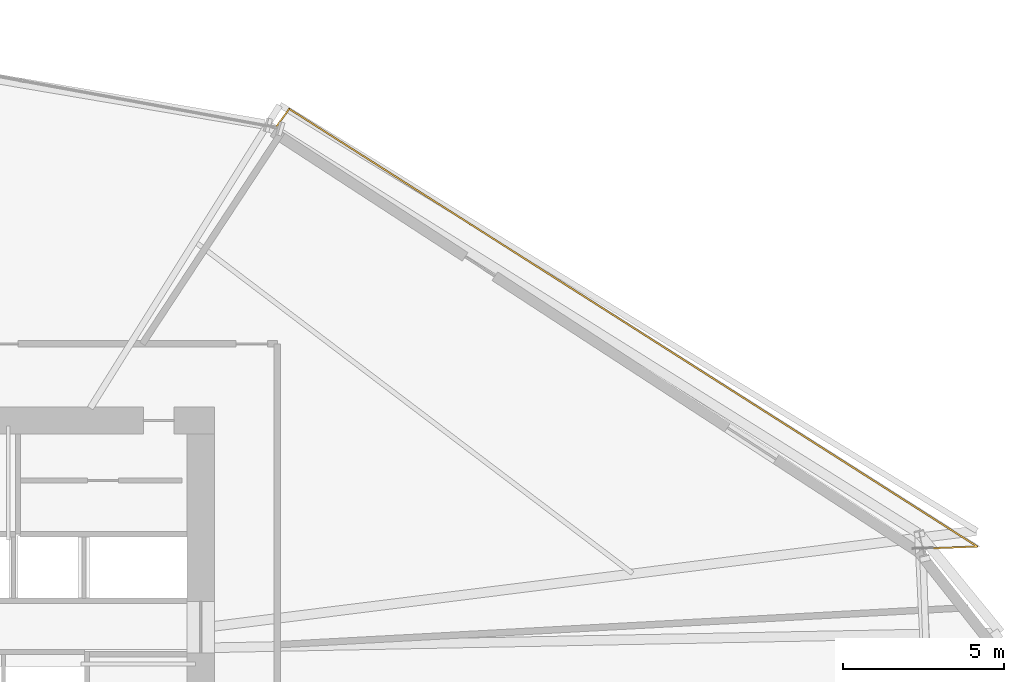
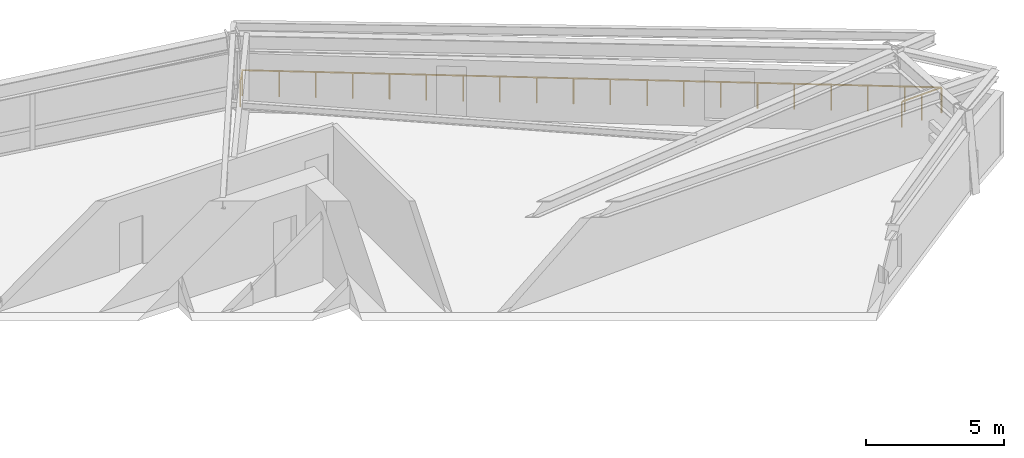
# One storey, part 20 of 20: 1 railing.
"""IFC4 building model written with IfcOpenShell, lengths in metres."""

from ifc_helpers import new_model, si_unit, direction, frame, origin, origin_2d, place, context, subcontext, project, spatial, rectangle, extrude, material, type_object, element, save


model = new_model("IFC4")

# Units and contexts
model_context = context("Model", 3, precision=1e-05, world=origin(), true_north=direction((0.0, 1.0)))
body_context = subcontext(model_context, "Body", "Model", "MODEL_VIEW")
ifc_project = project(units=[si_unit("LENGTHUNIT", "METRE"), si_unit("AREAUNIT", "SQUARE_METRE"), si_unit("VOLUMEUNIT", "CUBIC_METRE"), si_unit("PLANEANGLEUNIT", "RADIAN"), si_unit("MASSUNIT", "GRAM", prefix="KILO")], contexts=[model_context])

# Site, building, storey
site_placement = place(None, origin())
site = spatial("IfcSite", under=ifc_project, at=site_placement, CompositionType="ELEMENT")
building_placement = place(site_placement, origin())
building = spatial("IfcBuilding", under=site, at=building_placement, Name="Olszyna Solenne Hotel", CompositionType="ELEMENT")
storey_placement = place(building_placement, frame((0.0, 0.0, 43.5)))
storey = spatial("IfcBuildingStorey", under=building, at=storey_placement, Name="L10", CompositionType="ELEMENT", Elevation=43.5)

# Railing
ifc_material = material(Name="Anodised bronze aluminium", Category="aluminium")
railing_type = type_object("IfcRailingType", Name="GR-110", PredefinedType="BALUSTRADE", material=ifc_material)
railing_placement = place(storey_placement, frame((68.70849609375, 30.15283203125, 0.0)))
element("IfcRailing", 1, at=railing_placement, inside=storey, type_object=railing_type, Name="Loggia balcony balustrade guard GR-L10-LG1", PredefinedType="BALUSTRADE", context=body_context, shape_type="SweptSolid", body=[
    extrude(rectangle(XDim=0.048095703125, YDim=0.048095703125, at=origin_2d()), frame((0.0, 0.0, 1.1259765625), z_axis=(0.999246177392, 0.038821089214, 0.0), x_axis=(-0.038821089214, 0.999246177392, 0.0)), (0.0, 0.0, 1.0), 1.691650390625),
    extrude(rectangle(XDim=0.048095703125, YDim=0.048095703125, at=origin_2d()), frame((1.6904296875, 0.065673828125, 1.1259765625), z_axis=(-0.843783556192, 0.536683622165, 0.0), x_axis=(-0.536683622165, -0.843783556192, 0.0)), (0.0, 0.0, 1.0), 25.2783203125),
    extrude(rectangle(XDim=0.048095703125, YDim=0.048095703125, at=origin_2d()), frame((-19.638916015625, 13.632080078125, 1.1259765625), z_axis=(-0.588151234553, -0.808750966178, 0.0), x_axis=(0.808750966178, -0.588151234553, 0.0)), (0.0, 0.0, 1.0), 0.70947265625),
    extrude(rectangle(XDim=0.0419921875, YDim=0.0419921875, at=origin_2d()), origin(), (0.0, 0.0, 1.0), 1.101806640625),
    extrude(rectangle(XDim=0.0419921875, YDim=0.0419921875, at=origin_2d()), frame((0.84521484375, 0.03271484375, 0.0)), (0.0, 0.0, 1.0), 1.101806640625),
    extrude(rectangle(XDim=0.0419921875, YDim=0.0419921875, at=origin_2d()), frame((1.6904296875, 0.065673828125, 0.0)), (0.0, 0.0, 1.0), 1.101806640625),
    extrude(rectangle(XDim=0.0419921875, YDim=0.0419921875, at=origin_2d()), frame((0.56787109375, 0.77978515625, 0.0)), (0.0, 0.0, 1.0), 1.101806640625),
    extrude(rectangle(XDim=0.0419921875, YDim=0.0419921875, at=origin_2d()), frame((-0.5546875, 1.49365234375, 0.0)), (0.0, 0.0, 1.0), 1.101806640625),
    extrude(rectangle(XDim=0.0419921875, YDim=0.0419921875, at=origin_2d()), frame((-1.67724609375, 2.207763671875, 0.0)), (0.0, 0.0, 1.0), 1.101806640625),
    extrude(rectangle(XDim=0.0419921875, YDim=0.0419921875, at=origin_2d()), frame((-2.800048828125, 2.921875, 0.0)), (0.0, 0.0, 1.0), 1.101806640625),
    extrude(rectangle(XDim=0.0419921875, YDim=0.0419921875, at=origin_2d()), frame((-3.922607421875, 3.6357421875, 0.0)), (0.0, 0.0, 1.0), 1.101806640625),
    extrude(rectangle(XDim=0.0419921875, YDim=0.0419921875, at=origin_2d()), frame((-5.045166015625, 4.349853515625, 0.0)), (0.0, 0.0, 1.0), 1.101806640625),
    extrude(rectangle(XDim=0.0419921875, YDim=0.0419921875, at=origin_2d()), frame((-6.167724609375, 5.063720703125, 0.0)), (0.0, 0.0, 1.0), 1.101806640625),
    extrude(rectangle(XDim=0.0419921875, YDim=0.0419921875, at=origin_2d()), frame((-7.290283203125, 5.77783203125, 0.0)), (0.0, 0.0, 1.0), 1.101806640625),
    extrude(rectangle(XDim=0.0419921875, YDim=0.0419921875, at=origin_2d()), frame((-8.412841796875, 6.491943359375, 0.0)), (0.0, 0.0, 1.0), 1.101806640625),
    extrude(rectangle(XDim=0.0419921875, YDim=0.0419921875, at=origin_2d()), frame((-9.53564453125, 7.205810546875, 0.0)), (0.0, 0.0, 1.0), 1.101806640625),
    extrude(rectangle(XDim=0.0419921875, YDim=0.0419921875, at=origin_2d()), frame((-10.658203125, 7.919921875, 0.0)), (0.0, 0.0, 1.0), 1.101806640625),
    extrude(rectangle(XDim=0.0419921875, YDim=0.0419921875, at=origin_2d()), frame((-11.78076171875, 8.634033203125, 0.0)), (0.0, 0.0, 1.0), 1.101806640625),
    extrude(rectangle(XDim=0.0419921875, YDim=0.0419921875, at=origin_2d()), frame((-12.9033203125, 9.347900390625, 0.0)), (0.0, 0.0, 1.0), 1.101806640625),
    extrude(rectangle(XDim=0.0419921875, YDim=0.0419921875, at=origin_2d()), frame((-14.02587890625, 10.06201171875, 0.0)), (0.0, 0.0, 1.0), 1.101806640625),
    extrude(rectangle(XDim=0.0419921875, YDim=0.0419921875, at=origin_2d()), frame((-15.1484375, 10.77587890625, 0.0)), (0.0, 0.0, 1.0), 1.101806640625),
    extrude(rectangle(XDim=0.0419921875, YDim=0.0419921875, at=origin_2d()), frame((-16.271240234375, 11.489990234375, 0.0)), (0.0, 0.0, 1.0), 1.101806640625),
    extrude(rectangle(XDim=0.0419921875, YDim=0.0419921875, at=origin_2d()), frame((-17.393798828125, 12.2041015625, 0.0)), (0.0, 0.0, 1.0), 1.101806640625),
    extrude(rectangle(XDim=0.0419921875, YDim=0.0419921875, at=origin_2d()), frame((-18.516357421875, 12.91796875, 0.0)), (0.0, 0.0, 1.0), 1.101806640625),
    extrude(rectangle(XDim=0.0419921875, YDim=0.0419921875, at=origin_2d()), frame((-19.638916015625, 13.632080078125, 0.0)), (0.0, 0.0, 1.0), 1.101806640625),
    extrude(rectangle(XDim=0.0419921875, YDim=0.0419921875, at=origin_2d()), frame((-20.05615234375, 13.058349609375, 0.0)), (0.0, 0.0, 1.0), 1.101806640625),
])

save(model, "model.ifc")
